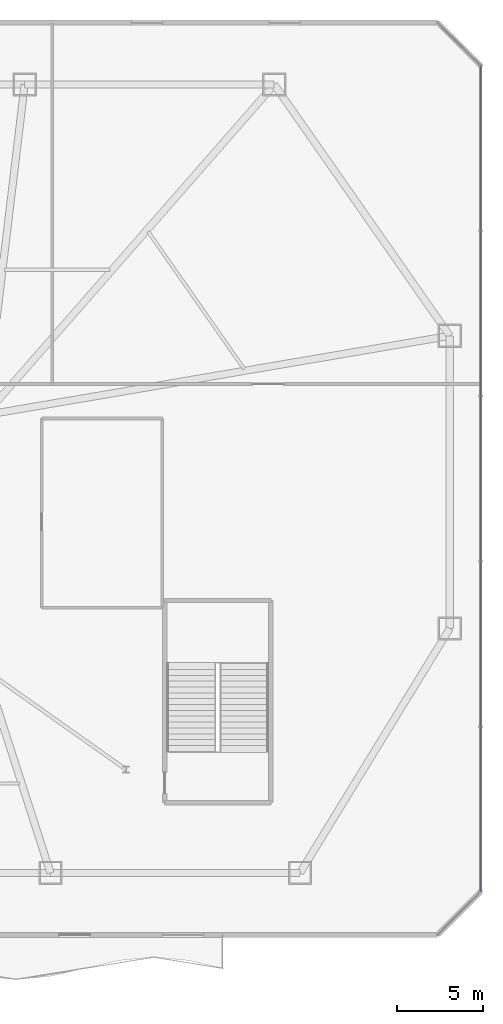
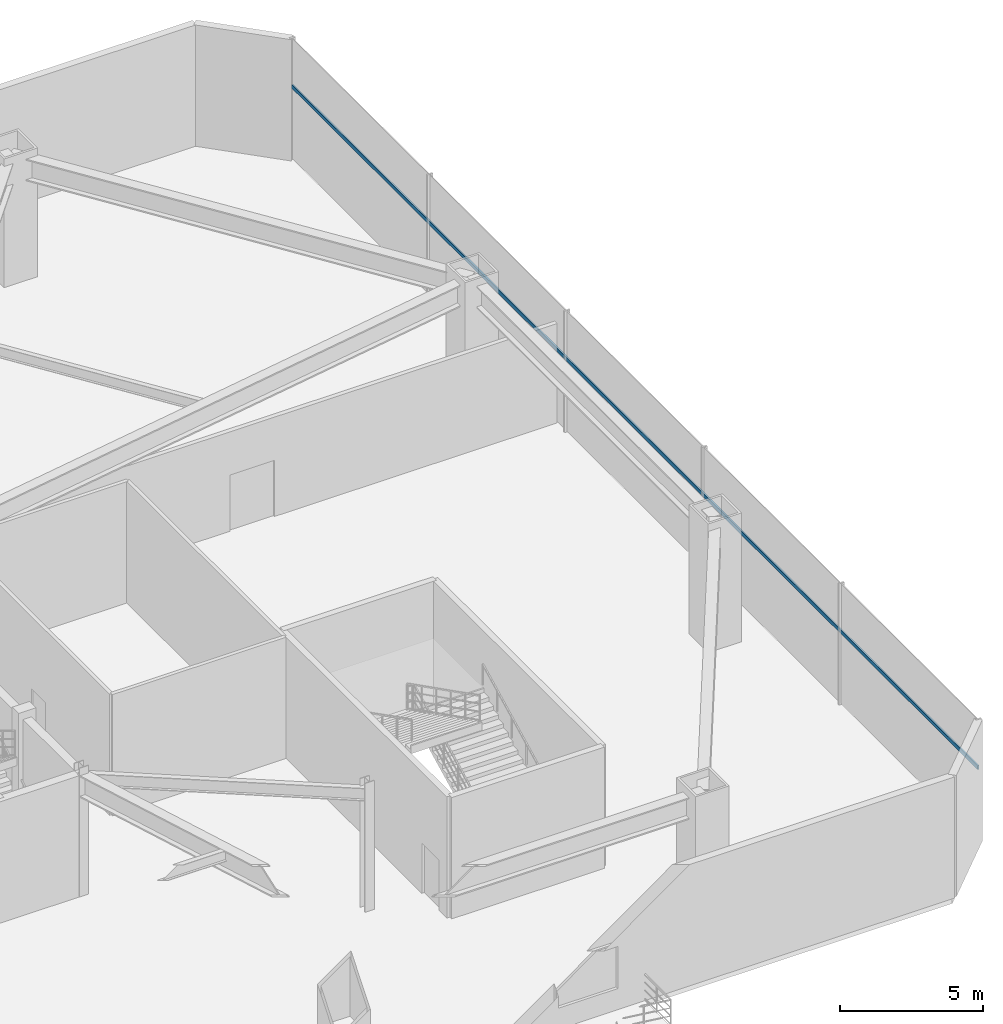
# One storey, part 10 of 20: 1 member, 1 element without a shape of its own.
"""IFC4 building model written with IfcOpenShell, lengths in metres."""

import ifcopenshell
import ifcopenshell.guid

model = None  # the IFC model being written
_history = None  # IfcOwnerHistory: only IFC2X3 demands one
_inside = {}  # id of a spatial element -> (the spatial element, [elements in it])
_under = {}  # id of a project, library or spatial element -> (it, [spatial elements below it])
_declared = {}  # id of a project -> (the project, [libraries it declares])
_typed = {}  # id of a type object -> (the type object, [elements of that type])
_made_of = {}  # id of a material, layer set ... -> (it, [elements and type objects made of it])


def new_model(schema):
    """Start an empty IFC model of exactly this schema.

    Asked for "IFC4X3", IfcOpenShell would pick the latest addendum, in which some entities
    have other attributes; the version numbers below select the first issue.
    IFC2X3 requires an IfcOwnerHistory on every rooted entity: one is made here for all.
    """
    global model, _history
    if schema == "IFC4X3":
        model = ifcopenshell.file(schema_version=(4, 3, 0, 0))
    else:
        model = ifcopenshell.file(schema=schema)
    _inside.clear()
    _under.clear()
    _declared.clear()
    _typed.clear()
    _made_of.clear()
    _history = None
    if model.schema == "IFC2X3":
        org = make("IfcOrganization", Name="unknown")
        user = make(
            "IfcPersonAndOrganization",
            ThePerson=make("IfcPerson", FamilyName="unknown"),
            TheOrganization=org,
        )
        app = make(
            "IfcApplication",
            ApplicationDeveloper=org,
            Version="unknown",
            ApplicationFullName="unknown",
            ApplicationIdentifier="unknown",
        )
        _history = make(
            "IfcOwnerHistory",
            OwningUser=user,
            OwningApplication=app,
            ChangeAction="ADDED",
            CreationDate=0,
        )
    return model


def make(cls, **values):
    """One entity of the class cls with the attributes given. An attribute that is None is left unset."""
    return model.create_entity(
        cls, **{name: value for name, value in values.items() if value is not None}
    )


def rooted(cls, **values):
    """An entity with a GlobalId (a new one), such as an element, a storey or a relation."""
    return make(cls, GlobalId=ifcopenshell.guid.new(), OwnerHistory=_history, **values)


def si_unit(unit_type, name, prefix=None):
    """IfcSIUnit, for example si_unit("LENGTHUNIT", "METRE", prefix="MILLI")."""
    return make("IfcSIUnit", UnitType=unit_type, Prefix=prefix, Name=name)


def assignment(units):
    """IfcUnitAssignment: the units of a project."""
    return None if units is None else make("IfcUnitAssignment", Units=units)


def point(xyz):
    """IfcCartesianPoint."""
    return None if xyz is None else make("IfcCartesianPoint", Coordinates=xyz)


def direction(xyz):
    """IfcDirection."""
    return None if xyz is None else make("IfcDirection", DirectionRatios=xyz)


def frame(location, z_axis=None, x_axis=None):
    """IfcAxis2Placement3D, a coordinate frame: its origin and axes. An axis left out is left unset."""
    return make(
        "IfcAxis2Placement3D",
        Location=point(location),
        Axis=direction(z_axis),
        RefDirection=direction(x_axis),
    )


def frame_2d(location, x_axis=None):
    """IfcAxis2Placement2D, a coordinate frame in the plane: its origin and x axis."""
    return make(
        "IfcAxis2Placement2D", Location=point(location), RefDirection=direction(x_axis)
    )


def origin():
    """The frame at (0, 0, 0) with its axes left unset."""
    return frame((0.0, 0.0, 0.0))


def origin_2d():
    """The frame at (0, 0) in the plane with its x axis left unset."""
    return frame_2d((0.0, 0.0))


def place(relative_to, where):
    """IfcLocalPlacement: puts the frame where relative to a parent placement (None: the world)."""
    return make(
        "IfcLocalPlacement", PlacementRelTo=relative_to, RelativePlacement=where
    )


def context(
    kind, dimensions, precision=None, world=None, true_north=None, identifier=None
):
    """IfcGeometricRepresentationContext, for example the 3D "Model" context."""
    return make(
        "IfcGeometricRepresentationContext",
        ContextIdentifier=identifier,
        ContextType=kind,
        CoordinateSpaceDimension=dimensions,
        Precision=precision,
        WorldCoordinateSystem=world,
        TrueNorth=true_north,
    )


def subcontext(parent, identifier, kind, view, scale=None):
    """IfcGeometricRepresentationSubContext, for example "Body" below "Model"."""
    return make(
        "IfcGeometricRepresentationSubContext",
        ContextIdentifier=identifier,
        ContextType=kind,
        ParentContext=parent,
        TargetScale=scale,
        TargetView=view,
    )


def project(units=None, contexts=None):
    """IfcProject with its units and contexts."""
    return rooted(
        "IfcProject",
        Name="project",
        RepresentationContexts=contexts,
        UnitsInContext=assignment(units),
    )


def spatial(cls, under=None, at=None, **own):
    """A site, building, storey or space (cls), placed at a placement, below another one or the project."""
    s = rooted(cls, ObjectPlacement=at, **own)
    if under is not None:
        _under.setdefault(under.id(), (under, []))[1].append(s)
    return s


def profile(cls, at=None, kind="AREA", **sizes):
    """A parametric profile (cls). Its sizes go by their IFC names, for example OverallWidth=200.0."""
    return make(cls, ProfileType=kind, Position=at, **sizes)


def rectangle(**sizes):
    """IfcRectangleProfileDef."""
    return profile("IfcRectangleProfileDef", **sizes)


def extrude(swept, where, along, depth):
    """IfcExtrudedAreaSolid: the profile swept, set in the frame where, extruded along a direction by depth."""
    return make(
        "IfcExtrudedAreaSolid",
        SweptArea=swept,
        Position=where,
        ExtrudedDirection=direction(along),
        Depth=depth,
    )


def shape(context_of_items, identifier, shape_type, items):
    """IfcShapeRepresentation: the items that make up one representation, for example the "Body"."""
    return make(
        "IfcShapeRepresentation",
        ContextOfItems=context_of_items,
        RepresentationIdentifier=identifier,
        RepresentationType=shape_type,
        Items=items,
    )


def source(mapping_origin, context_of_items, identifier, shape_type, items):
    """IfcRepresentationMap: a shape defined once, which mapped items show again and again."""
    return make(
        "IfcRepresentationMap",
        MappingOrigin=mapping_origin,
        MappedRepresentation=shape(context_of_items, identifier, shape_type, items),
    )


def transform(
    local_origin,
    x_axis=None,
    y_axis=None,
    z_axis=None,
    scale=None,
    scale2=None,
    scale3=None,
    uniform=True,
):
    """IfcCartesianTransformationOperator3D, or its non-uniform kind. x_axis, y_axis, z_axis: its Axis1, 2, 3."""
    if uniform:
        return make(
            "IfcCartesianTransformationOperator3D",
            Axis1=direction(x_axis),
            Axis2=direction(y_axis),
            LocalOrigin=point(local_origin),
            Scale=scale,
            Axis3=direction(z_axis),
        )
    return make(
        "IfcCartesianTransformationOperator3DnonUniform",
        Axis1=direction(x_axis),
        Axis2=direction(y_axis),
        LocalOrigin=point(local_origin),
        Scale=scale,
        Axis3=direction(z_axis),
        Scale2=scale2,
        Scale3=scale3,
    )


def mapped(mapping_source, mapping_target):
    """IfcMappedItem: shows the shape of a source again, moved by a transform."""
    return make(
        "IfcMappedItem", MappingSource=mapping_source, MappingTarget=mapping_target
    )


def material(Name=None, Category=None):
    """IfcMaterial."""
    return make("IfcMaterial", Name=Name, Category=Category)


def layer(
    of_material, thickness, ventilated=None, Name=None, Category=None, Priority=None
):
    """IfcMaterialLayer: one layer of a wall or slab, of a material (None: an air gap)."""
    return make(
        "IfcMaterialLayer",
        Material=of_material,
        LayerThickness=thickness,
        IsVentilated=ventilated,
        Name=Name,
        Category=Category,
        Priority=Priority,
    )


def layer_set(layers, Name=None):
    """IfcMaterialLayerSet."""
    return make("IfcMaterialLayerSet", MaterialLayers=layers, LayerSetName=Name)


def material_profile(
    of_material, cross_section, Name=None, Category=None, Priority=None
):
    """IfcMaterialProfile: a cross section and its material."""
    return make(
        "IfcMaterialProfile",
        Name=Name,
        Material=of_material,
        Profile=cross_section,
        Priority=Priority,
        Category=Category,
    )


def profile_set(profiles, Name=None, composite=None):
    """IfcMaterialProfileSet."""
    return make(
        "IfcMaterialProfileSet",
        Name=Name,
        MaterialProfiles=profiles,
        CompositeProfile=composite,
    )


def made_of(thing, what):
    """Note that an element or type object is made of a material, layer set ...; save() writes the relation."""
    if what is not None:
        _made_of.setdefault(what.id(), (what, []))[1].append(thing)
    return thing


def type_object(cls, material=None, **own):
    """A type object (cls), such as IfcWallType, which elements share."""
    return made_of(rooted(cls, **own), material)


def type_shapes(of_type, sources):
    """Give a type object the sources (RepresentationMaps) that its elements show as mapped items."""
    of_type.RepresentationMaps = sources


def element(
    cls,
    number,
    at=None,
    inside=None,
    cuts=None,
    type_object=None,
    material=None,
    context=None,
    identifier="Body",
    shape_type=None,
    held_by="IfcProductDefinitionShape",
    body=None,
    shapes=None,
    **own,
):
    """One element of the class cls, such as IfcWall. Its Tag is "e" and its number.

    at: its placement. inside: the storey or other place that contains it. cuts: it is an
    opening in that element (IfcRelVoidsElement). A single representation is given by context,
    identifier, shape_type and body (its items); several are given by shapes. held_by: the class
    of the entity that holds the representations. save() writes the other relations.
    """
    e = rooted(cls, Tag="e%d" % number, ObjectPlacement=at, **own)
    if body is not None:
        shapes = [shape(context, identifier, shape_type, body)]
    if shapes is not None:
        e.Representation = make(held_by, Representations=shapes)
    if inside is not None:
        _inside.setdefault(inside.id(), (inside, []))[1].append(e)
    if cuts is not None:
        rooted(
            "IfcRelVoidsElement", RelatingBuildingElement=cuts, RelatedOpeningElement=e
        )
    if type_object is not None:
        _typed.setdefault(type_object.id(), (type_object, []))[1].append(e)
    return made_of(e, material)


def aggregate(whole, parts):
    """IfcRelAggregates: a whole, such as a stair, and the parts it consists of."""
    return rooted("IfcRelAggregates", RelatingObject=whole, RelatedObjects=parts)


def save(model, path):
    """Write the relations noted so far, then the file.

    IfcRelAggregates (storeys below a building ...), IfcRelContainedInSpatialStructure (elements
    in a storey), IfcRelDefinesByType, IfcRelAssociatesMaterial and IfcRelDeclares: one each for
    every whole, place, type object, material and project.
    """
    for whole, parts in _under.values():
        aggregate(whole, parts)
    for where, things in _inside.values():
        rooted(
            "IfcRelContainedInSpatialStructure",
            RelatedElements=things,
            RelatingStructure=where,
        )
    for kind, things in _typed.values():
        rooted("IfcRelDefinesByType", RelatedObjects=things, RelatingType=kind)
    for what, things in _made_of.values():
        rooted("IfcRelAssociatesMaterial", RelatedObjects=things, RelatingMaterial=what)
    for by, libraries in _declared.values():
        rooted("IfcRelDeclares", RelatingContext=by, RelatedDefinitions=libraries)
    model.write(path)


model = new_model("IFC4")

# Units and contexts
model_context = context("Model", 3, precision=1e-05, world=origin(), true_north=direction((0.0, 1.0)))
body_context = subcontext(model_context, "Body", "Model", "MODEL_VIEW")
ifc_project = project(units=[si_unit("LENGTHUNIT", "METRE"), si_unit("AREAUNIT", "SQUARE_METRE"), si_unit("VOLUMEUNIT", "CUBIC_METRE"), si_unit("PLANEANGLEUNIT", "RADIAN"), si_unit("MASSUNIT", "GRAM", prefix="KILO")], contexts=[model_context])

# Site, building, storey
site_placement = place(None, origin())
site = spatial("IfcSite", under=ifc_project, at=site_placement, CompositionType="ELEMENT")
building_placement = place(site_placement, origin())
building = spatial("IfcBuilding", under=site, at=building_placement, Name="Varakhsha Concourse Tower", CompositionType="ELEMENT")
storey_placement = place(building_placement, frame((0.0, 0.0, 11.0)))
storey = spatial("IfcBuildingStorey", under=building, at=storey_placement, Name="L03", CompositionType="ELEMENT", Elevation=11.0)

# Curtain wall, member
ifc_material = material(Name="Anodised Bronze Architectural Aluminium AA 6063-T6", Category="aluminium")
ifc_layer = layer(ifc_material, 0.239990234375, Name="CW-SYS-01")
ifc_layer_set = layer_set([ifc_layer], Name="Anodised Bronze Architectural Aluminium AA 6063-T6")
curtain_wall_type = type_object("IfcCurtainWallType", Name="CW-SYS-01", PredefinedType="NOTDEFINED", material=ifc_layer_set)
curtain_wall_placement = place(storey_placement, origin())
curtain_wall = element("IfcCurtainWall", 1, at=curtain_wall_placement, inside=storey, type_object=curtain_wall_type, Name="L03 Podium Curtain Wall 03", PredefinedType="NOTDEFINED")
ifc_material_profile = material_profile(ifc_material, rectangle(XDim=0.06494140625, YDim=0.159912109375, at=origin_2d()), Name="CWT-160X65")
ifc_profile_set = profile_set([ifc_material_profile], Name="Anodised Bronze Architectural Aluminium AA 6063-T6")
member_type = type_object("IfcMemberType", Name="CWT-160X65", PredefinedType="USERDEFINED", material=ifc_profile_set)
shared_shape = source(origin(), body_context, "Body", "SweptSolid", [
    extrude(rectangle(XDim=0.06494140625, YDim=0.159912109375, at=origin_2d()), origin(), (0.0, 0.0, 1.0), 48.0),
])
type_shapes(member_type, [shared_shape])
member_placement = place(storey_placement, frame((77.0, 3.5, 3.10009765625), z_axis=(0.0, 1.0, 0.0), x_axis=(-1.0, 0.0, 0.0)))
member = element("IfcMember", 2, at=member_placement, type_object=member_type, Name="CW-POD-L03-03 Transom 01", ObjectType="TRANSOM", PredefinedType="USERDEFINED", context=body_context, shape_type="MappedRepresentation", body=[
    mapped(shared_shape, transform((0.0, 0.0, 0.0), scale=1.0)),
])
aggregate(curtain_wall, [member])

save(model, "model.ifc")
